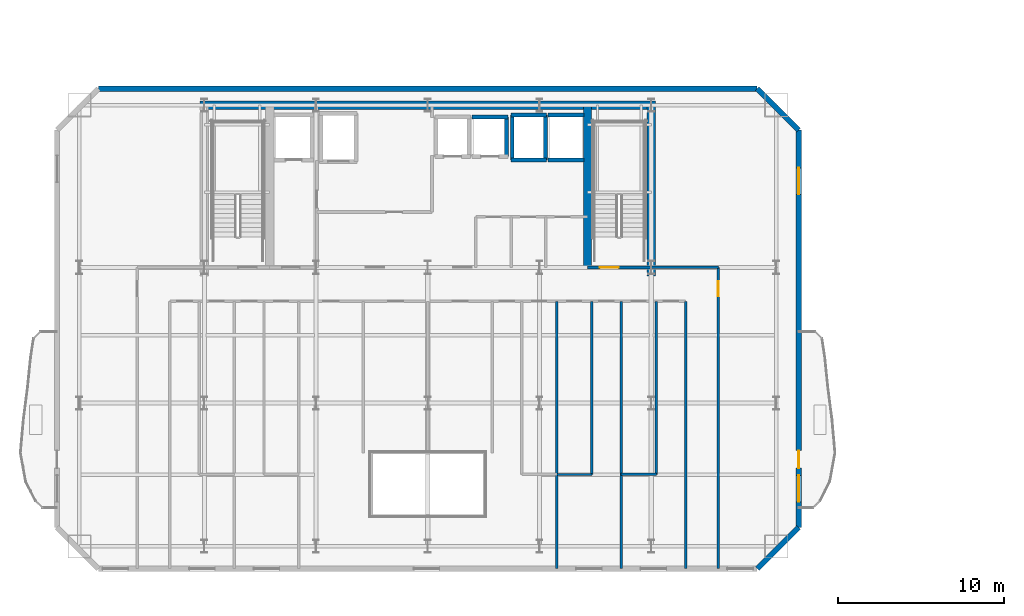
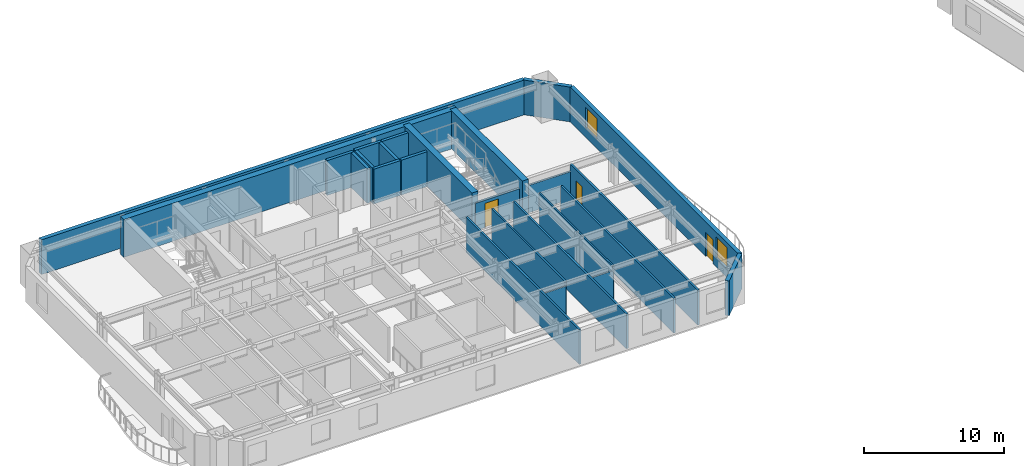
# One storey, part 7 of 14: 25 walls, 3 doors, 2 windows, 5 openings.
"""IFC4 building model written with IfcOpenShell, lengths in metres."""

from ifc_helpers import new_model, si_unit, direction, frame, frame_2d, origin, place, context, subcontext, project, spatial, rectangle, extrude, material, layer, layer_set, type_object, element, fill, save


model = new_model("IFC4")

# Units and contexts
model_context = context("Model", 3, precision=1e-05, world=origin(), true_north=direction((0.0, 1.0)))
body_context = subcontext(model_context, "Body", "Model", "MODEL_VIEW")
ifc_project = project(units=[si_unit("LENGTHUNIT", "METRE"), si_unit("AREAUNIT", "SQUARE_METRE"), si_unit("VOLUMEUNIT", "CUBIC_METRE"), si_unit("PLANEANGLEUNIT", "RADIAN"), si_unit("MASSUNIT", "GRAM", prefix="KILO")], contexts=[model_context])

# Site, building, storey
site_placement = place(None, origin())
site = spatial("IfcSite", under=ifc_project, at=site_placement, CompositionType="ELEMENT")
building_placement = place(site_placement, origin())
building = spatial("IfcBuilding", under=site, at=building_placement, Name="Haevon Station Towers", CompositionType="ELEMENT")
storey_placement = place(building_placement, frame((0.0, 0.0, 119.699951171875)))
storey = spatial("IfcBuildingStorey", under=building, at=storey_placement, Name="L32", CompositionType="ELEMENT", Elevation=119.699951171875)

# Wall, opening, door
ifc_material_1 = material(Name="Gypsum board on steel stud", Category="steel")
ifc_layer_1 = layer(ifc_material_1, 0.199951171875)
ifc_layer_set_1 = layer_set([ifc_layer_1], Name="Gypsum board on steel stud")
wall_type_1 = type_object("IfcWallType", Name="WL-COR200", PredefinedType="PARTITIONING", material=ifc_layer_set_1)
wall_1_placement = place(storey_placement, frame((47.14990234375, 38.199951171875, 0.0), z_axis=(0.0, 0.0, 1.0), x_axis=(1.0, 0.0, 0.0)))
wall_1 = element("IfcWall", 1, at=wall_1_placement, inside=storey, type_object=wall_type_1, Name="WL-ST-ST2-L32", PredefinedType="PARTITIONING", context=body_context, shape_type="SweptSolid", body=[
    extrude(rectangle(XDim=3.85009765625, YDim=0.199951171875, at=frame_2d((1.925048828125, 0.0))), origin(), (0.0, 0.0, 1.0), 2.380126953125),
])
opening_1_placement = place(wall_1_placement, frame((0.75, 0.0, 0.0)))
opening_1 = element("IfcOpeningElement", 2, at=opening_1_placement, cuts=wall_1, Name="Opening DR-ST-ST2-L32", PredefinedType="OPENING", context=body_context, shape_type="SweptSolid", body=[
    extrude(rectangle(XDim=1.1201171875, YDim=2.10009765625, at=frame_2d((0.56005859375, 1.050048828125))), frame((0.0, 0.10986328125, 0.0), z_axis=(0.0, -1.0, 0.0), x_axis=(1.0, 0.0, 0.0)), (0.0, 0.0, 1.0), 0.219970703125),
])
ifc_material_2 = material(Name="Engineered oak timber", Category="wood")
door_type_1 = type_object("IfcDoorType", Name="DR-ST-1120", OperationType="NOTDEFINED", PredefinedType="DOOR", material=ifc_material_2)
door_1_placement = place(opening_1_placement, origin())
door_1 = element("IfcDoor", 3, at=door_1_placement, inside=storey, type_object=door_type_1, Name="L32 Escape Stair ST2 Fire Door", OperationType="SINGLE_SWING_LEFT", OverallHeight=2.10009765625, OverallWidth=1.1201171875, PredefinedType="DOOR", context=body_context, shape_type="SweptSolid", body=[
    extrude(rectangle(XDim=1.1201171875, YDim=2.10009765625, at=frame_2d((0.56005859375, 1.050048828125))), frame((0.0, 0.02490234375, 0.0), z_axis=(0.0, -1.0, 0.0), x_axis=(1.0, 0.0, 0.0)), (0.0, 0.0, 1.0), 0.050048828125),
])
fill(opening_1, door_1)

# Walls
ifc_material_3 = material(Name="Concrete C60/75", Category="concrete")
ifc_layer_2 = layer(ifc_material_3, 0.5)
ifc_layer_set_2 = layer_set([ifc_layer_2], Name="Concrete C60/75")
wall_type_2 = type_object("IfcWallType", Name="WL-CR500", PredefinedType="SHEAR", material=ifc_layer_set_2)
wall_2_placement = place(storey_placement, frame((23.75, 48.0, 0.0), z_axis=(0.0, 0.0, 1.0), x_axis=(1.0, 0.0, 0.0)))
element("IfcWall", 4, at=wall_2_placement, inside=storey, type_object=wall_type_2, Name="WL-T1CR-L32-N", PredefinedType="SHEAR", context=body_context, shape_type="SweptSolid", body=[
    extrude(rectangle(XDim=27.5, YDim=0.5, at=frame_2d((13.75, 0.0))), origin(), (0.0, 0.0, 1.0), 3.300048828125),
])
wall_3_placement = place(storey_placement, frame((51.0, 37.679931640625, 0.0), z_axis=(0.0, 0.0, 1.0), x_axis=(0.0, 1.0, 0.0)))
element("IfcWall", 5, at=wall_3_placement, inside=storey, type_object=wall_type_2, Name="WL-T1CR-L32-E", PredefinedType="SHEAR", context=body_context, shape_type="SweptSolid", body=[
    extrude(rectangle(XDim=10.320068359375, YDim=0.5, at=frame_2d((5.16015625, 0.0))), origin(), (0.0, 0.0, 1.0), 3.300048828125),
])
wall_4_placement = place(storey_placement, frame((47.14990234375, 38.199951171875, 0.0), z_axis=(0.0, 0.0, 1.0), x_axis=(0.0, 1.0, 0.0)))
element("IfcWall", 6, at=wall_4_placement, inside=storey, type_object=wall_type_2, Name="WL-T1CR-L32-M2", PredefinedType="SHEAR", context=body_context, shape_type="SweptSolid", body=[
    extrude(rectangle(XDim=9.800048828125, YDim=0.5, at=frame_2d((4.89990234375, 0.0))), origin(), (0.0, 0.0, 1.0), 3.300048828125),
])
ifc_material_4 = material(Name="Precast concrete C45/55", Category="concrete")
ifc_layer_3 = layer(ifc_material_4, 0.320068359375)
ifc_layer_set_3 = layer_set([ifc_layer_3], Name="Precast concrete C45/55")
wall_type_3 = type_object("IfcWallType", Name="WL-EXT-PIER320", PredefinedType="SOLIDWALL", material=ifc_layer_set_3)
wall_5_placement = place(storey_placement, frame((17.60009765625, 49.0, 0.0), z_axis=(0.0, 0.0, 1.0), x_axis=(1.0, 0.0, 0.0)))
element("IfcWall", 7, at=wall_5_placement, inside=storey, type_object=wall_type_3, Name="WL-T1-L32-N", PredefinedType="SOLIDWALL", context=body_context, shape_type="SweptSolid", body=[
    extrude(rectangle(XDim=39.7998046875, YDim=0.320068359375, at=frame_2d((19.89990234375, 0.0))), origin(), (0.0, 0.0, 1.0), 3.030029296875),
])
wall_6_placement = place(storey_placement, frame((57.39990234375, 49.0, 0.0), z_axis=(0.0, 0.0, 1.0), x_axis=(0.707106781187, -0.707106781187, 0.0)))
element("IfcWall", 8, at=wall_6_placement, inside=storey, type_object=wall_type_3, Name="WL-T1-L32-NEC", PredefinedType="SOLIDWALL", context=body_context, shape_type="SweptSolid", body=[
    extrude(rectangle(XDim=3.53564453125, YDim=0.320068359375, at=frame_2d((1.767822265625, 0.0))), origin(), (0.0, 0.0, 1.0), 3.030029296875),
])

# Wall, openings, door, windows
wall_7_placement = place(storey_placement, frame((59.89990234375, 46.5, 0.0), z_axis=(0.0, 0.0, 1.0), x_axis=(0.0, -1.0, 0.0)))
wall_7 = element("IfcWall", 9, at=wall_7_placement, inside=storey, type_object=wall_type_3, Name="WL-T1-L32-E", PredefinedType="SOLIDWALL", context=body_context, shape_type="SweptSolid", body=[
    extrude(rectangle(XDim=24.0, YDim=0.320068359375, at=frame_2d((12.0, 0.0))), origin(), (0.0, 0.0, 1.0), 3.030029296875),
])
opening_2_placement = place(wall_7_placement, frame((19.375, 0.0, 0.0)))
opening_2 = element("IfcOpeningElement", 10, at=opening_2_placement, cuts=wall_7, Name="Opening DR-T1-SCAL-L32-E", PredefinedType="OPENING", context=body_context, shape_type="SweptSolid", body=[
    extrude(rectangle(XDim=1.050048828125, YDim=2.10009765625, at=frame_2d((0.52490234375, 1.050048828125))), frame((0.0, 0.169921875, 0.0), z_axis=(0.0, -1.0, 0.0), x_axis=(1.0, 0.0, 0.0)), (0.0, 0.0, 1.0), 0.340087890625),
])
opening_3_placement = place(wall_7_placement, frame((2.28564453125, 0.0, 0.800048828125)))
opening_3 = element("IfcOpeningElement", 11, at=opening_3_placement, cuts=wall_7, Name="Opening WN-END160", PredefinedType="OPENING", context=body_context, shape_type="SweptSolid", body=[
    extrude(rectangle(XDim=1.60009765625, YDim=1.800048828125, at=frame_2d((0.800048828125, 0.89990234375))), frame((0.0, 0.169921875, 0.0), z_axis=(0.0, -1.0, 0.0), x_axis=(1.0, 0.0, 0.0)), (0.0, 0.0, 1.0), 0.340087890625),
])
opening_4_placement = place(wall_7_placement, frame((20.857177734375, 0.0, 0.800048828125)))
opening_4 = element("IfcOpeningElement", 12, at=opening_4_placement, cuts=wall_7, Name="Opening WN-END160", PredefinedType="OPENING", context=body_context, shape_type="SweptSolid", body=[
    extrude(rectangle(XDim=1.60009765625, YDim=1.800048828125, at=frame_2d((0.800048828125, 0.89990234375))), frame((0.0, 0.169921875, 0.0), z_axis=(0.0, -1.0, 0.0), x_axis=(1.0, 0.0, 0.0)), (0.0, 0.0, 1.0), 0.340087890625),
])
ifc_material_5 = material(Name="Thermally broken anodised aluminium and laminated safety glass", Category="aluminium")
door_type_2 = type_object("IfcDoorType", Name="DR-BALC-1050", OperationType="NOTDEFINED", PredefinedType="DOOR", material=ifc_material_5)
door_2_placement = place(opening_2_placement, origin())
door_2 = element("IfcDoor", 13, at=door_2_placement, inside=storey, type_object=door_type_2, Name="Tower 1 L32 East Scalloped Balcony Door", OperationType="SINGLE_SWING_RIGHT", OverallHeight=2.10009765625, OverallWidth=1.050048828125, PredefinedType="DOOR", context=body_context, shape_type="SweptSolid", body=[
    extrude(rectangle(XDim=1.050048828125, YDim=2.10009765625, at=frame_2d((0.52490234375, 1.050048828125))), frame((0.0, 0.02490234375, 0.0), z_axis=(0.0, -1.0, 0.0), x_axis=(1.0, 0.0, 0.0)), (0.0, 0.0, 1.0), 0.050048828125),
])
fill(opening_2, door_2)
ifc_material_6 = material(Name="Low-E triple glazing in thermally broken aluminium", Category="aluminium")
window_type = type_object("IfcWindowType", Name="WN-END160", PartitioningType="SINGLE_PANEL", PredefinedType="WINDOW", material=ifc_material_6)
window_1_placement = place(opening_3_placement, origin())
window_1 = element("IfcWindow", 14, at=window_1_placement, inside=storey, type_object=window_type, Name="WN-T1-L32-E01", OverallHeight=1.800048828125, OverallWidth=1.60009765625, PartitioningType="SINGLE_PANEL", PredefinedType="WINDOW", context=body_context, shape_type="SweptSolid", body=[
    extrude(rectangle(XDim=1.60009765625, YDim=1.800048828125, at=frame_2d((0.800048828125, 0.89990234375))), frame((0.0, 0.030029296875, 0.0), z_axis=(0.0, -1.0, 0.0), x_axis=(1.0, 0.0, 0.0)), (0.0, 0.0, 1.0), 0.06005859375),
])
fill(opening_3, window_1)
window_2_placement = place(opening_4_placement, origin())
window_2 = element("IfcWindow", 15, at=window_2_placement, inside=storey, type_object=window_type, Name="WN-T1-L32-E02", OverallHeight=1.800048828125, OverallWidth=1.60009765625, PartitioningType="SINGLE_PANEL", PredefinedType="WINDOW", context=body_context, shape_type="SweptSolid", body=[
    extrude(rectangle(XDim=1.60009765625, YDim=1.800048828125, at=frame_2d((0.800048828125, 0.89990234375))), frame((0.0, 0.030029296875, 0.0), z_axis=(0.0, -1.0, 0.0), x_axis=(1.0, 0.0, 0.0)), (0.0, 0.0, 1.0), 0.06005859375),
])
fill(opening_4, window_2)

# Walls
wall_8_placement = place(storey_placement, frame((59.89990234375, 22.5, 0.0), z_axis=(0.0, 0.0, 1.0), x_axis=(-0.707106781187, -0.707106781187, 0.0)))
element("IfcWall", 16, at=wall_8_placement, inside=storey, type_object=wall_type_3, Name="WL-T1-L32-SEC", PredefinedType="SOLIDWALL", context=body_context, shape_type="SweptSolid", body=[
    extrude(rectangle(XDim=3.53564453125, YDim=0.320068359375, at=frame_2d((1.767822265625, 0.0))), origin(), (0.0, 0.0, 1.0), 3.030029296875),
])
ifc_layer_4 = layer(ifc_material_1, 0.125)
ifc_layer_set_4 = layer_set([ifc_layer_4], Name="Gypsum board on steel stud")
wall_type_4 = type_object("IfcWallType", Name="WL-PRT125", PredefinedType="PARTITIONING", material=ifc_layer_set_4)
wall_9_placement = place(storey_placement, frame((45.2900390625, 25.697021484375, 0.0), z_axis=(0.0, 0.0, 1.0), x_axis=(1.0, 0.0, 0.0)))
element("IfcWall", 17, at=wall_9_placement, inside=storey, type_object=wall_type_4, Name="WL-T1PT-L32-25", PredefinedType="PARTITIONING", context=body_context, shape_type="SweptSolid", body=[
    extrude(rectangle(XDim=2.114990234375, YDim=0.125, at=frame_2d((1.0576171875, 0.0))), origin(), (0.0, 0.0, 1.0), 2.630126953125),
])
wall_10_placement = place(storey_placement, frame((51.300048828125, 25.697021484375, 0.0), z_axis=(0.0, 0.0, 1.0), x_axis=(0.0, 1.0, 0.0)))
element("IfcWall", 18, at=wall_10_placement, inside=storey, type_object=wall_type_4, Name="WL-T1PT-L32-29", PredefinedType="PARTITIONING", context=body_context, shape_type="SweptSolid", body=[
    extrude(rectangle(XDim=10.452880859375, YDim=0.125, at=frame_2d((5.2265625, 0.0))), origin(), (0.0, 0.0, 1.0), 3.030029296875),
])
ifc_layer_5 = layer(ifc_material_1, 0.139892578125)
ifc_layer_set_5 = layer_set([ifc_layer_5], Name="Gypsum board on steel stud")
wall_type_5 = type_object("IfcWallType", Name="WL-PRT140", PredefinedType="PARTITIONING", material=ifc_layer_set_5)
wall_11_placement = place(storey_placement, frame((47.405029296875, 25.697021484375, 0.0), z_axis=(0.0, 0.0, 1.0), x_axis=(0.0, 1.0, 0.0)))
element("IfcWall", 19, at=wall_11_placement, inside=storey, type_object=wall_type_5, Name="WL-T1PT-L32-26", PredefinedType="PARTITIONING", context=body_context, shape_type="SweptSolid", body=[
    extrude(rectangle(XDim=10.452880859375, YDim=0.139892578125, at=frame_2d((5.2265625, 0.0))), origin(), (0.0, 0.0, 1.0), 3.030029296875),
])
wall_12_placement = place(storey_placement, frame((49.18505859375, 25.697021484375, 0.0), z_axis=(0.0, 0.0, 1.0), x_axis=(1.0, 0.0, 0.0)))
element("IfcWall", 20, at=wall_12_placement, inside=storey, type_object=wall_type_5, Name="WL-T1PT-L32-28", PredefinedType="PARTITIONING", context=body_context, shape_type="SweptSolid", body=[
    extrude(rectangle(XDim=2.114990234375, YDim=0.139892578125, at=frame_2d((1.0576171875, 0.0))), origin(), (0.0, 0.0, 1.0), 2.630126953125),
])
ifc_layer_6 = layer(ifc_material_1, 0.159912109375)
ifc_layer_set_6 = layer_set([ifc_layer_6], Name="Gypsum board on steel stud")
wall_type_6 = type_object("IfcWallType", Name="WL-PRT160", PredefinedType="PARTITIONING", material=ifc_layer_set_6)
wall_13_placement = place(storey_placement, frame((53.080078125, 20.0, 0.0), z_axis=(0.0, 0.0, 1.0), x_axis=(0.0, 1.0, 0.0)))
element("IfcWall", 21, at=wall_13_placement, inside=storey, type_object=wall_type_6, Name="WL-T1PT-L32-02", PredefinedType="PARTITIONING", context=body_context, shape_type="SweptSolid", body=[
    extrude(rectangle(XDim=16.14990234375, YDim=0.159912109375, at=frame_2d((8.074951171875, 0.0))), origin(), (0.0, 0.0, 1.0), 3.030029296875),
])
wall_14_placement = place(storey_placement, frame((51.0, 38.199951171875, 0.0), z_axis=(0.0, 0.0, 1.0), x_axis=(1.0, 0.0, 0.0)))
element("IfcWall", 22, at=wall_14_placement, inside=storey, type_object=wall_type_6, Name="WL-T1PT-L32-04", PredefinedType="PARTITIONING", context=body_context, shape_type="SweptSolid", body=[
    extrude(rectangle(XDim=4.050048828125, YDim=0.159912109375, at=frame_2d((2.02490234375, 0.0))), origin(), (0.0, 0.0, 1.0), 2.380126953125),
])

# Wall, opening, door
wall_15_placement = place(storey_placement, frame((55.050048828125, 20.0, 0.0), z_axis=(0.0, 0.0, 1.0), x_axis=(0.0, 1.0, 0.0)))
wall_15 = element("IfcWall", 23, at=wall_15_placement, inside=storey, type_object=wall_type_6, Name="WL-T1PT-L32-06", PredefinedType="PARTITIONING", context=body_context, shape_type="SweptSolid", body=[
    extrude(rectangle(XDim=18.199951171875, YDim=0.159912109375, at=frame_2d((9.10009765625, 0.0))), origin(), (0.0, 0.0, 1.0), 3.030029296875),
])
opening_5_placement = place(wall_15_placement, frame((16.469970703125, 0.0, 0.0)))
opening_5 = element("IfcOpeningElement", 24, at=opening_5_placement, cuts=wall_15, Name="Opening DR-WL-T1PT-L32-06-01", PredefinedType="OPENING", context=body_context, shape_type="SweptSolid", body=[
    extrude(rectangle(XDim=0.89990234375, YDim=2.050048828125, at=frame_2d((0.449951171875, 1.02490234375))), frame((0.0, 0.08984375, 0.0), z_axis=(0.0, -1.0, 0.0), x_axis=(1.0, 0.0, 0.0)), (0.0, 0.0, 1.0), 0.179931640625),
])
door_type_3 = type_object("IfcDoorType", Name="DR-INT-900", OperationType="NOTDEFINED", PredefinedType="DOOR", material=ifc_material_2)
door_3_placement = place(opening_5_placement, origin())
door_3 = element("IfcDoor", 25, at=door_3_placement, inside=storey, type_object=door_type_3, Name="L32 Tower 1 Room Door 6-1", OperationType="SINGLE_SWING_LEFT", OverallHeight=2.050048828125, OverallWidth=0.89990234375, PredefinedType="DOOR", context=body_context, shape_type="SweptSolid", body=[
    extrude(rectangle(XDim=0.89990234375, YDim=2.050048828125, at=frame_2d((0.449951171875, 1.02490234375))), frame((0.0, 0.02490234375, 0.0), z_axis=(0.0, -1.0, 0.0), x_axis=(1.0, 0.0, 0.0)), (0.0, 0.0, 1.0), 0.050048828125),
])
fill(opening_5, door_3)

# Walls
for number, where, z_axis, x_axis, name in (
    (26, (45.2900390625, 20.0, 0.0), (0.0, 0.0, 1.0), (0.0, 1.0, 0.0), "WL-T1PT-L32-24"),
    (27, (49.18505859375, 20.0, 0.0), (0.0, 0.0, 1.0), (0.0, 1.0, 0.0), "WL-T1PT-L32-27"),
):
    element("IfcWall", number, at=place(storey_placement, frame(where, z_axis=z_axis, x_axis=x_axis)), inside=storey, type_object=wall_type_6, Name=name, PredefinedType="PARTITIONING", context=body_context, shape_type="SweptSolid", body=[
        extrude(rectangle(XDim=16.14990234375, YDim=0.159912109375, at=frame_2d((8.074951171875, 0.0))), origin(), (0.0, 0.0, 1.0), 3.030029296875),
    ])
ifc_material_7 = material(Name="Concrete C40/50", Category="concrete")
ifc_layer_7 = layer(ifc_material_7, 0.239990234375)
ifc_layer_set_7 = layer_set([ifc_layer_7], Name="Concrete C40/50")
wall_type_7 = type_object("IfcWallType", Name="WL-SHF240", PredefinedType="PARTITIONING", material=ifc_layer_set_7)
wall_16_placement = place(storey_placement, frame((40.169921875, 47.300048828125, 0.0), z_axis=(0.0, 0.0, 1.0), x_axis=(1.0, 0.0, 0.0)))
element("IfcWall", 28, at=wall_16_placement, inside=storey, type_object=wall_type_7, Name="WL-SHF-PL4-L32-N", PredefinedType="PARTITIONING", context=body_context, shape_type="SweptSolid", body=[
    extrude(rectangle(XDim=2.16015625, YDim=0.239990234375, at=frame_2d((1.080078125, 0.0))), origin(), (0.0, 0.0, 1.0), 3.030029296875),
])
wall_17_placement = place(storey_placement, frame((42.25, 44.89990234375, 0.0), z_axis=(0.0, 0.0, 1.0), x_axis=(0.0, 1.0, 0.0)))
element("IfcWall", 29, at=wall_17_placement, inside=storey, type_object=wall_type_7, Name="WL-SHF-PL4-L32-E", PredefinedType="PARTITIONING", context=body_context, shape_type="SweptSolid", body=[
    extrude(rectangle(XDim=2.400146484375, YDim=0.239990234375, at=frame_2d((1.2001953125, 0.0))), origin(), (0.0, 0.0, 1.0), 3.030029296875),
])
for number, where, z_axis, x_axis, name in (
    (30, (42.52001953125, 44.699951171875, 0.0), (0.0, 0.0, 1.0), (1.0, 0.0, 0.0), "WL-SHF-PL5-L32"),
    (31, (42.52001953125, 47.39990234375, 0.0), (0.0, 0.0, 1.0), (1.0, 0.0, 0.0), "WL-SHF-PL5-L32-N"),
):
    element("IfcWall", number, at=place(storey_placement, frame(where, z_axis=z_axis, x_axis=x_axis)), inside=storey, type_object=wall_type_7, Name=name, PredefinedType="PARTITIONING", context=body_context, shape_type="SweptSolid", body=[
        extrude(rectangle(XDim=2.159912109375, YDim=0.239990234375, at=frame_2d((1.080078125, 0.0))), origin(), (0.0, 0.0, 1.0), 3.030029296875),
    ])
for number, where, z_axis, x_axis, name in (
    (32, (42.60009765625, 44.699951171875, 0.0), (0.0, 0.0, 1.0), (0.0, 1.0, 0.0), "WL-SHF-PL5-L32-W"),
    (33, (44.60009765625, 44.699951171875, 0.0), (0.0, 0.0, 1.0), (0.0, 1.0, 0.0), "WL-SHF-PL5-L32-E"),
):
    element("IfcWall", number, at=place(storey_placement, frame(where, z_axis=z_axis, x_axis=x_axis)), inside=storey, type_object=wall_type_7, Name=name, PredefinedType="PARTITIONING", context=body_context, shape_type="SweptSolid", body=[
        extrude(rectangle(XDim=2.699951171875, YDim=0.239990234375, at=frame_2d((1.35009765625, 0.0))), origin(), (0.0, 0.0, 1.0), 3.030029296875),
    ])
for number, where, z_axis, x_axis, name in (
    (34, (44.77001953125, 44.699951171875, 0.0), (0.0, 0.0, 1.0), (1.0, 0.0, 0.0), "WL-SHF-PL6-L32"),
    (35, (44.77001953125, 47.39990234375, 0.0), (0.0, 0.0, 1.0), (1.0, 0.0, 0.0), "WL-SHF-PL6-L32-N"),
):
    element("IfcWall", number, at=place(storey_placement, frame(where, z_axis=z_axis, x_axis=x_axis)), inside=storey, type_object=wall_type_7, Name=name, PredefinedType="PARTITIONING", context=body_context, shape_type="SweptSolid", body=[
        extrude(rectangle(XDim=2.159912109375, YDim=0.239990234375, at=frame_2d((1.080078125, 0.0))), origin(), (0.0, 0.0, 1.0), 3.030029296875),
    ])

save(model, "model.ifc")
